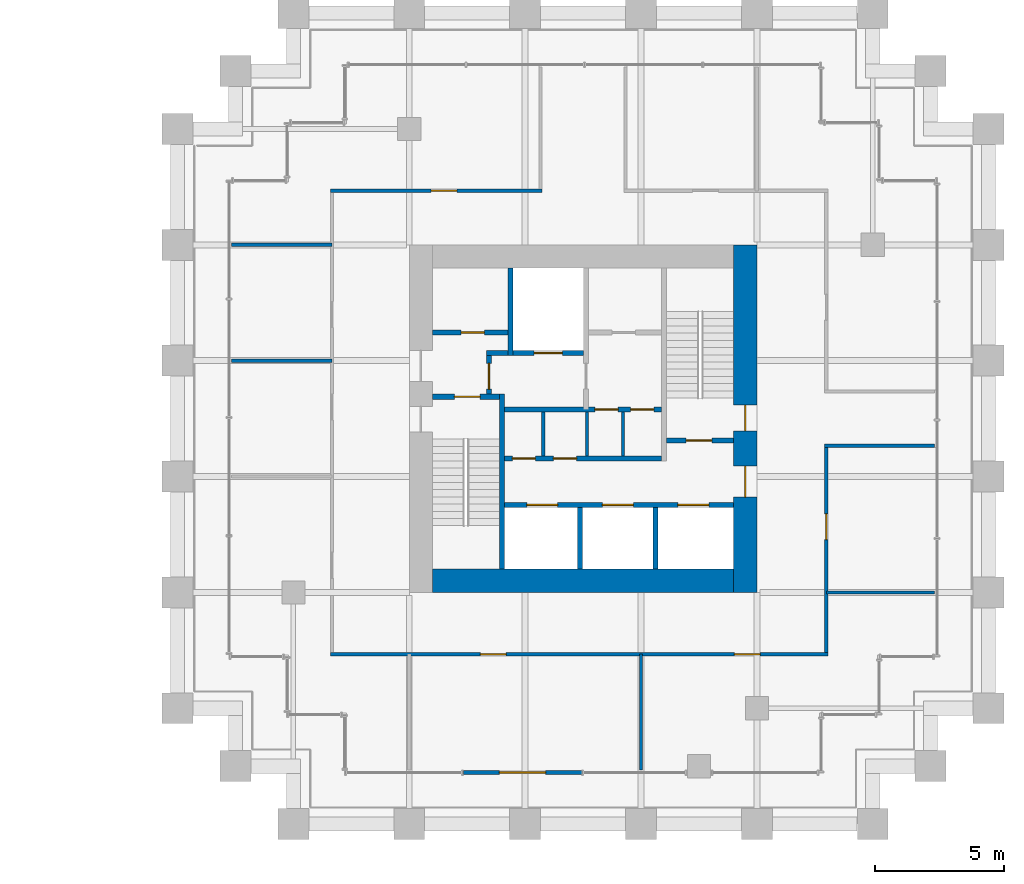
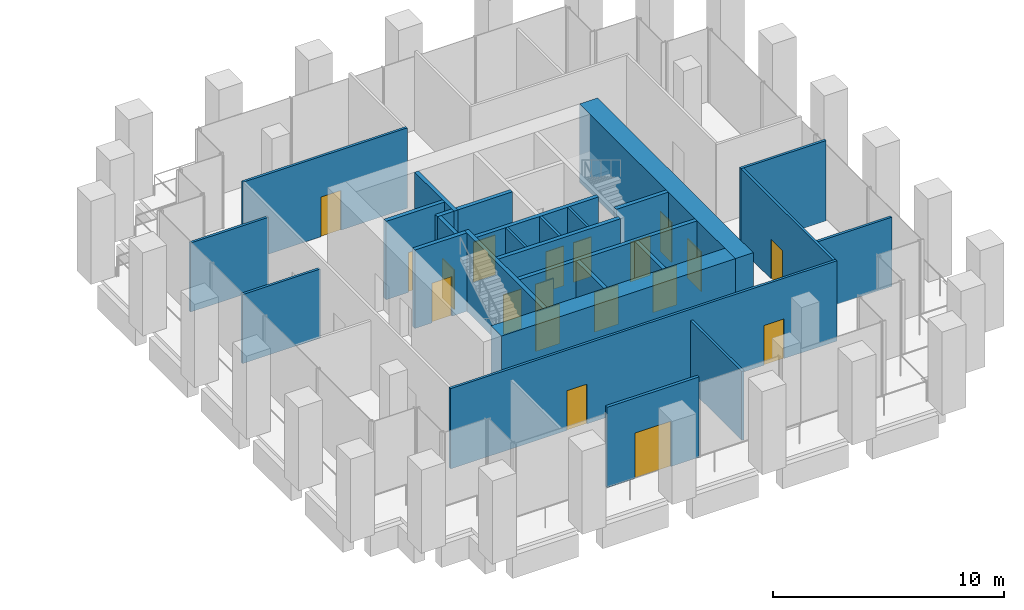
# One storey, part 32 of 36: 27 walls, 19 doors, 19 openings.
"""IFC4 building model written with IfcOpenShell, lengths in metres."""

import ifcopenshell
import ifcopenshell.guid

model = None  # the IFC model being written
_history = None  # IfcOwnerHistory: only IFC2X3 demands one
_inside = {}  # id of a spatial element -> (the spatial element, [elements in it])
_under = {}  # id of a project, library or spatial element -> (it, [spatial elements below it])
_declared = {}  # id of a project -> (the project, [libraries it declares])
_typed = {}  # id of a type object -> (the type object, [elements of that type])
_made_of = {}  # id of a material, layer set ... -> (it, [elements and type objects made of it])


def new_model(schema):
    """Start an empty IFC model of exactly this schema.

    Asked for "IFC4X3", IfcOpenShell would pick the latest addendum, in which some entities
    have other attributes; the version numbers below select the first issue.
    IFC2X3 requires an IfcOwnerHistory on every rooted entity: one is made here for all.
    """
    global model, _history
    if schema == "IFC4X3":
        model = ifcopenshell.file(schema_version=(4, 3, 0, 0))
    else:
        model = ifcopenshell.file(schema=schema)
    _inside.clear()
    _under.clear()
    _declared.clear()
    _typed.clear()
    _made_of.clear()
    _history = None
    if model.schema == "IFC2X3":
        org = make("IfcOrganization", Name="unknown")
        user = make(
            "IfcPersonAndOrganization",
            ThePerson=make("IfcPerson", FamilyName="unknown"),
            TheOrganization=org,
        )
        app = make(
            "IfcApplication",
            ApplicationDeveloper=org,
            Version="unknown",
            ApplicationFullName="unknown",
            ApplicationIdentifier="unknown",
        )
        _history = make(
            "IfcOwnerHistory",
            OwningUser=user,
            OwningApplication=app,
            ChangeAction="ADDED",
            CreationDate=0,
        )
    return model


def make(cls, **values):
    """One entity of the class cls with the attributes given. An attribute that is None is left unset."""
    return model.create_entity(
        cls, **{name: value for name, value in values.items() if value is not None}
    )


def rooted(cls, **values):
    """An entity with a GlobalId (a new one), such as an element, a storey or a relation."""
    return make(cls, GlobalId=ifcopenshell.guid.new(), OwnerHistory=_history, **values)


def si_unit(unit_type, name, prefix=None):
    """IfcSIUnit, for example si_unit("LENGTHUNIT", "METRE", prefix="MILLI")."""
    return make("IfcSIUnit", UnitType=unit_type, Prefix=prefix, Name=name)


def assignment(units):
    """IfcUnitAssignment: the units of a project."""
    return None if units is None else make("IfcUnitAssignment", Units=units)


def point(xyz):
    """IfcCartesianPoint."""
    return None if xyz is None else make("IfcCartesianPoint", Coordinates=xyz)


def direction(xyz):
    """IfcDirection."""
    return None if xyz is None else make("IfcDirection", DirectionRatios=xyz)


def frame(location, z_axis=None, x_axis=None):
    """IfcAxis2Placement3D, a coordinate frame: its origin and axes. An axis left out is left unset."""
    return make(
        "IfcAxis2Placement3D",
        Location=point(location),
        Axis=direction(z_axis),
        RefDirection=direction(x_axis),
    )


def frame_2d(location, x_axis=None):
    """IfcAxis2Placement2D, a coordinate frame in the plane: its origin and x axis."""
    return make(
        "IfcAxis2Placement2D", Location=point(location), RefDirection=direction(x_axis)
    )


def origin():
    """The frame at (0, 0, 0) with its axes left unset."""
    return frame((0.0, 0.0, 0.0))


def place(relative_to, where):
    """IfcLocalPlacement: puts the frame where relative to a parent placement (None: the world)."""
    return make(
        "IfcLocalPlacement", PlacementRelTo=relative_to, RelativePlacement=where
    )


def context(
    kind, dimensions, precision=None, world=None, true_north=None, identifier=None
):
    """IfcGeometricRepresentationContext, for example the 3D "Model" context."""
    return make(
        "IfcGeometricRepresentationContext",
        ContextIdentifier=identifier,
        ContextType=kind,
        CoordinateSpaceDimension=dimensions,
        Precision=precision,
        WorldCoordinateSystem=world,
        TrueNorth=true_north,
    )


def subcontext(parent, identifier, kind, view, scale=None):
    """IfcGeometricRepresentationSubContext, for example "Body" below "Model"."""
    return make(
        "IfcGeometricRepresentationSubContext",
        ContextIdentifier=identifier,
        ContextType=kind,
        ParentContext=parent,
        TargetScale=scale,
        TargetView=view,
    )


def project(units=None, contexts=None):
    """IfcProject with its units and contexts."""
    return rooted(
        "IfcProject",
        Name="project",
        RepresentationContexts=contexts,
        UnitsInContext=assignment(units),
    )


def spatial(cls, under=None, at=None, **own):
    """A site, building, storey or space (cls), placed at a placement, below another one or the project."""
    s = rooted(cls, ObjectPlacement=at, **own)
    if under is not None:
        _under.setdefault(under.id(), (under, []))[1].append(s)
    return s


def profile(cls, at=None, kind="AREA", **sizes):
    """A parametric profile (cls). Its sizes go by their IFC names, for example OverallWidth=200.0."""
    return make(cls, ProfileType=kind, Position=at, **sizes)


def rectangle(**sizes):
    """IfcRectangleProfileDef."""
    return profile("IfcRectangleProfileDef", **sizes)


def extrude(swept, where, along, depth):
    """IfcExtrudedAreaSolid: the profile swept, set in the frame where, extruded along a direction by depth."""
    return make(
        "IfcExtrudedAreaSolid",
        SweptArea=swept,
        Position=where,
        ExtrudedDirection=direction(along),
        Depth=depth,
    )


def shape(context_of_items, identifier, shape_type, items):
    """IfcShapeRepresentation: the items that make up one representation, for example the "Body"."""
    return make(
        "IfcShapeRepresentation",
        ContextOfItems=context_of_items,
        RepresentationIdentifier=identifier,
        RepresentationType=shape_type,
        Items=items,
    )


def material(Name=None, Category=None):
    """IfcMaterial."""
    return make("IfcMaterial", Name=Name, Category=Category)


def layer(
    of_material, thickness, ventilated=None, Name=None, Category=None, Priority=None
):
    """IfcMaterialLayer: one layer of a wall or slab, of a material (None: an air gap)."""
    return make(
        "IfcMaterialLayer",
        Material=of_material,
        LayerThickness=thickness,
        IsVentilated=ventilated,
        Name=Name,
        Category=Category,
        Priority=Priority,
    )


def layer_set(layers, Name=None):
    """IfcMaterialLayerSet."""
    return make("IfcMaterialLayerSet", MaterialLayers=layers, LayerSetName=Name)


def made_of(thing, what):
    """Note that an element or type object is made of a material, layer set ...; save() writes the relation."""
    if what is not None:
        _made_of.setdefault(what.id(), (what, []))[1].append(thing)
    return thing


def type_object(cls, material=None, **own):
    """A type object (cls), such as IfcWallType, which elements share."""
    return made_of(rooted(cls, **own), material)


def element(
    cls,
    number,
    at=None,
    inside=None,
    cuts=None,
    type_object=None,
    material=None,
    context=None,
    identifier="Body",
    shape_type=None,
    held_by="IfcProductDefinitionShape",
    body=None,
    shapes=None,
    **own,
):
    """One element of the class cls, such as IfcWall. Its Tag is "e" and its number.

    at: its placement. inside: the storey or other place that contains it. cuts: it is an
    opening in that element (IfcRelVoidsElement). A single representation is given by context,
    identifier, shape_type and body (its items); several are given by shapes. held_by: the class
    of the entity that holds the representations. save() writes the other relations.
    """
    e = rooted(cls, Tag="e%d" % number, ObjectPlacement=at, **own)
    if body is not None:
        shapes = [shape(context, identifier, shape_type, body)]
    if shapes is not None:
        e.Representation = make(held_by, Representations=shapes)
    if inside is not None:
        _inside.setdefault(inside.id(), (inside, []))[1].append(e)
    if cuts is not None:
        rooted(
            "IfcRelVoidsElement", RelatingBuildingElement=cuts, RelatedOpeningElement=e
        )
    if type_object is not None:
        _typed.setdefault(type_object.id(), (type_object, []))[1].append(e)
    return made_of(e, material)


def fill(opening, filler):
    """IfcRelFillsElement: the door or window that sits in an opening."""
    return rooted(
        "IfcRelFillsElement",
        RelatingOpeningElement=opening,
        RelatedBuildingElement=filler,
    )


def aggregate(whole, parts):
    """IfcRelAggregates: a whole, such as a stair, and the parts it consists of."""
    return rooted("IfcRelAggregates", RelatingObject=whole, RelatedObjects=parts)


def save(model, path):
    """Write the relations noted so far, then the file.

    IfcRelAggregates (storeys below a building ...), IfcRelContainedInSpatialStructure (elements
    in a storey), IfcRelDefinesByType, IfcRelAssociatesMaterial and IfcRelDeclares: one each for
    every whole, place, type object, material and project.
    """
    for whole, parts in _under.values():
        aggregate(whole, parts)
    for where, things in _inside.values():
        rooted(
            "IfcRelContainedInSpatialStructure",
            RelatedElements=things,
            RelatingStructure=where,
        )
    for kind, things in _typed.values():
        rooted("IfcRelDefinesByType", RelatedObjects=things, RelatingType=kind)
    for what, things in _made_of.values():
        rooted("IfcRelAssociatesMaterial", RelatedObjects=things, RelatingMaterial=what)
    for by, libraries in _declared.values():
        rooted("IfcRelDeclares", RelatingContext=by, RelatedDefinitions=libraries)
    model.write(path)


model = new_model("IFC4")

# Units and contexts
model_context = context("Model", 3, precision=1e-05, world=origin(), true_north=direction((0.0, 1.0)))
body_context = subcontext(model_context, "Body", "Model", "MODEL_VIEW")
ifc_project = project(units=[si_unit("LENGTHUNIT", "METRE"), si_unit("AREAUNIT", "SQUARE_METRE"), si_unit("VOLUMEUNIT", "CUBIC_METRE"), si_unit("PLANEANGLEUNIT", "RADIAN"), si_unit("MASSUNIT", "GRAM", prefix="KILO")], contexts=[model_context])

# Site, building, storey
site_placement = place(None, origin())
site = spatial("IfcSite", under=ifc_project, at=site_placement, CompositionType="ELEMENT")
building_placement = place(site_placement, origin())
building = spatial("IfcBuilding", under=site, at=building_placement, Name="Altepetl Exchange Towers", CompositionType="ELEMENT")
storey_placement = place(building_placement, frame((0.0, 0.0, 43.0)))
storey = spatial("IfcBuildingStorey", under=building, at=storey_placement, Name="L09", CompositionType="ELEMENT", Elevation=43.0)

# Wall, openings, doors
ifc_material_1 = material(Name="Concrete C70/85", Category="concrete")
ifc_layer_1 = layer(ifc_material_1, 0.89990234375)
ifc_layer_set_1 = layer_set([ifc_layer_1], Name="Concrete C70/85")
wall_type_1 = type_object("IfcWallType", Name="Core wall 900 reinforced concrete", PredefinedType="SHEAR", material=ifc_layer_set_1)
wall_1_placement = place(storey_placement, frame((116.550048828125, 36.0, 0.0), z_axis=(0.0, 0.0, 1.0), x_axis=(0.0, 1.0, 0.0)))
wall_1 = element("IfcWall", 1, at=wall_1_placement, inside=storey, type_object=wall_type_1, Name="wall:B:L09:K-coreE", PredefinedType="SHEAR", context=body_context, shape_type="SweptSolid", body=[
    extrude(rectangle(XDim=13.5, YDim=0.89990234375, at=frame_2d((6.75, 0.0))), origin(), (0.0, 0.0, 1.0), 4.14990234375),
])
opening_1_placement = place(wall_1_placement, frame((3.699951171875, 0.0, 0.0)))
opening_1 = element("IfcOpeningElement", 2, at=opening_1_placement, cuts=wall_1, Name="Opening L09.B61", PredefinedType="OPENING", context=body_context, shape_type="SweptSolid", body=[
    extrude(rectangle(XDim=1.199951171875, YDim=2.10009765625, at=frame_2d((0.60009765625, 1.050048828125))), frame((0.0, 0.4599609375, 0.0), z_axis=(0.0, -1.0, 0.0), x_axis=(1.0, 0.0, 0.0)), (0.0, 0.0, 1.0), 0.919921875),
])
opening_2_placement = place(wall_1_placement, frame((6.27490234375, 0.0, 0.0)))
opening_2 = element("IfcOpeningElement", 3, at=opening_2_placement, cuts=wall_1, Name="Opening L09.B65", PredefinedType="OPENING", context=body_context, shape_type="SweptSolid", body=[
    extrude(rectangle(XDim=1.0, YDim=2.10009765625, at=frame_2d((0.5, 1.050048828125))), frame((0.0, 0.4599609375, 0.0), z_axis=(0.0, -1.0, 0.0), x_axis=(1.0, 0.0, 0.0)), (0.0, 0.0, 1.0), 0.919921875),
])
ifc_material_2 = material(Name="Steel and timber fire door", Category="steel")
door_type_1 = type_object("IfcDoorType", Name="Fire door 1000 x 2100 stair and lobby", OperationType="SINGLE_SWING_LEFT", PredefinedType="DOOR", material=ifc_material_2)
door_1_placement = place(opening_2_placement, origin())
door_1 = element("IfcDoor", 4, at=door_1_placement, inside=storey, type_object=door_type_1, Name="door:B:L09:K-dS2x", OperationType="SINGLE_SWING_LEFT", OverallHeight=2.10009765625, OverallWidth=1.0, PredefinedType="DOOR", context=body_context, shape_type="SweptSolid", body=[
    extrude(rectangle(XDim=1.0, YDim=2.10009765625, at=frame_2d((0.5, 1.050048828125))), frame((0.0, 0.02490234375, 0.0), z_axis=(0.0, -1.0, 0.0), x_axis=(1.0, 0.0, 0.0)), (0.0, 0.0, 1.0), 0.050048828125),
])
fill(opening_2, door_1)
door_type_2 = type_object("IfcDoorType", Name="Fire door 1200 x 2100 lobby entry", OperationType="SINGLE_SWING_LEFT", PredefinedType="DOOR", material=ifc_material_2)
door_2_placement = place(opening_1_placement, origin())
door_2 = element("IfcDoor", 5, at=door_2_placement, inside=storey, type_object=door_type_2, Name="door:B:L09:K-dLSE", OperationType="SINGLE_SWING_RIGHT", OverallHeight=2.10009765625, OverallWidth=1.199951171875, PredefinedType="DOOR", context=body_context, shape_type="SweptSolid", body=[
    extrude(rectangle(XDim=1.199951171875, YDim=2.10009765625, at=frame_2d((0.60009765625, 1.050048828125))), frame((0.0, 0.02490234375, 0.0), z_axis=(0.0, -1.0, 0.0), x_axis=(1.0, 0.0, 0.0)), (0.0, 0.0, 1.0), 0.050048828125),
])
fill(opening_1, door_2)

# Wall
wall_2_placement = place(storey_placement, frame((104.39990234375, 36.449951171875, 0.0)))
element("IfcWall", 6, at=wall_2_placement, inside=storey, type_object=wall_type_1, Name="wall:B:L09:K-coreS", PredefinedType="SHEAR", context=body_context, shape_type="SweptSolid", body=[
    extrude(rectangle(XDim=11.7001953125, YDim=0.89990234375, at=frame_2d((5.85009765625, 0.0))), origin(), (0.0, 0.0, 1.0), 4.14990234375),
])

# Wall, opening, door
ifc_material_3 = material(Name="Aluminium composite cladding", Category="aluminium")
ifc_layer_2 = layer(ifc_material_3, 0.14990234375)
ifc_layer_set_2 = layer_set([ifc_layer_2], Name="Aluminium composite cladding")
wall_type_2 = type_object("IfcWallType", Name="Infill wall 150 aluminium panel", PredefinedType="SOLIDWALL", material=ifc_layer_set_2)
wall_3_placement = place(storey_placement, frame((105.60009765625, 29.0, 0.0)))
wall_3 = element("IfcWall", 7, at=wall_3_placement, inside=storey, type_object=wall_type_2, Name="Loggia door bay wall", PredefinedType="SOLIDWALL", context=body_context, shape_type="SweptSolid", body=[
    extrude(rectangle(XDim=4.599853515625, YDim=0.14990234375, at=frame_2d((2.2998046875, 0.0))), origin(), (0.0, 0.0, 1.0), 4.25),
])
opening_3_placement = place(wall_3_placement, frame((1.39990234375, 0.0, 0.0)))
opening_3 = element("IfcOpeningElement", 8, at=opening_3_placement, cuts=wall_3, Name="Opening L09.B90", PredefinedType="OPENING", context=body_context, shape_type="SweptSolid", body=[
    extrude(rectangle(XDim=1.800048828125, YDim=2.39990234375, at=frame_2d((0.89990234375, 1.199951171875))), frame((0.0, 0.0849609375, 0.0), z_axis=(0.0, -1.0, 0.0), x_axis=(1.0, 0.0, 0.0)), (0.0, 0.0, 1.0), 0.169921875),
])
ifc_material_4 = material(Name="Aluminium 6063-T6 and glass", Category="aluminium")
door_type_3 = type_object("IfcDoorType", Name="Glazed door pair 1800x2400", OperationType="DOUBLE_DOOR_DOUBLE_SWING", PredefinedType="NOTDEFINED", material=ifc_material_4)
door_3_placement = place(opening_3_placement, frame((1.800048828125, 0.0, 0.0), x_axis=(-1.0, 0.0, 0.0)))
door_3 = element("IfcDoor", 9, at=door_3_placement, inside=storey, type_object=door_type_3, Name="Loggia door", OperationType="DOUBLE_DOOR_DOUBLE_SWING", OverallHeight=2.39990234375, OverallWidth=1.800048828125, PredefinedType="NOTDEFINED", context=body_context, shape_type="SweptSolid", body=[
    extrude(rectangle(XDim=1.800048828125, YDim=2.39990234375, at=frame_2d((0.89990234375, 1.199951171875))), frame((0.0, 0.02490234375, 0.0), z_axis=(0.0, -1.0, 0.0), x_axis=(1.0, 0.0, 0.0)), (0.0, 0.0, 1.0), 0.050048828125),
])
fill(opening_3, door_3)

# Wall
ifc_material_5 = material(Name="Concrete blockwork", Category="masonry")
ifc_layer_3 = layer(ifc_material_5, 0.199951171875)
ifc_layer_set_3 = layer_set([ifc_layer_3], Name="Concrete blockwork")
wall_type_3 = type_object("IfcWallType", Name="Lobby wall 200 blockwork", PredefinedType="PARTITIONING", material=ifc_layer_set_3)
wall_4_placement = place(storey_placement, frame((106.5, 45.300048828125, 0.0)))
element("IfcWall", 10, at=wall_4_placement, inside=storey, type_object=wall_type_3, Name="wall:B:L09:K-ffNw", PredefinedType="PARTITIONING", context=body_context, shape_type="SweptSolid", body=[
    extrude(rectangle(XDim=0.833251953125, YDim=0.199951171875, at=frame_2d((0.41650390625, 0.0))), origin(), (0.0, 0.0, 1.0), 4.14990234375),
])

# Wall, opening, door
wall_5_placement = place(storey_placement, frame((106.60009765625, 43.699951171875, 0.0), z_axis=(0.0, 0.0, 1.0), x_axis=(0.0, 1.0, 0.0)))
wall_5 = element("IfcWall", 11, at=wall_5_placement, inside=storey, type_object=wall_type_3, Name="wall:B:L09:K-ffW", PredefinedType="PARTITIONING", context=body_context, shape_type="SweptSolid", body=[
    extrude(rectangle(XDim=1.5, YDim=0.199951171875, at=frame_2d((0.75, 0.0))), origin(), (0.0, 0.0, 1.0), 4.14990234375),
])
opening_4_placement = place(wall_5_placement, frame((0.199951171875, 0.0, 0.0)))
opening_4 = element("IfcOpeningElement", 12, at=opening_4_placement, cuts=wall_5, Name="Opening L09.B67", PredefinedType="OPENING", context=body_context, shape_type="SweptSolid", body=[
    extrude(rectangle(XDim=1.0, YDim=2.10009765625, at=frame_2d((0.5, 1.050048828125))), frame((0.0, 0.10986328125, 0.0), z_axis=(0.0, -1.0, 0.0), x_axis=(1.0, 0.0, 0.0)), (0.0, 0.0, 1.0), 0.219970703125),
])
door_4_placement = place(opening_4_placement, frame((1.0, 0.0, 0.0), x_axis=(-1.0, 0.0, 0.0)))
door_4 = element("IfcDoor", 13, at=door_4_placement, inside=storey, type_object=door_type_1, Name="door:B:L09:K-dffW", OperationType="SINGLE_SWING_LEFT", OverallHeight=2.10009765625, OverallWidth=1.0, PredefinedType="DOOR", context=body_context, shape_type="SweptSolid", body=[
    extrude(rectangle(XDim=1.0, YDim=2.10009765625, at=frame_2d((0.5, 1.050048828125))), frame((0.0, 0.02490234375, 0.0), z_axis=(0.0, -1.0, 0.0), x_axis=(1.0, 0.0, 0.0)), (0.0, 0.0, 1.0), 0.050048828125),
])
fill(opening_4, door_4)

# Wall, openings, doors
wall_6_placement = place(storey_placement, frame((107.199951171875, 43.10009765625, 0.0)))
wall_6 = element("IfcWall", 14, at=wall_6_placement, inside=storey, type_object=wall_type_3, Name="wall:B:L09:K-zoneN", PredefinedType="PARTITIONING", context=body_context, shape_type="SweptSolid", body=[
    extrude(rectangle(XDim=6.10009765625, YDim=0.199951171875, at=frame_2d((3.050048828125, 0.0))), origin(), (0.0, 0.0, 1.0), 4.14990234375),
])
opening_5_placement = place(wall_6_placement, frame((3.508544921875, 0.0, 0.0)))
opening_5 = element("IfcOpeningElement", 15, at=opening_5_placement, cuts=wall_6, Name="Opening L09.B72", PredefinedType="OPENING", context=body_context, shape_type="SweptSolid", body=[
    extrude(rectangle(XDim=0.89990234375, YDim=2.10009765625, at=frame_2d((0.449951171875, 1.050048828125))), frame((0.0, 0.10986328125, 0.0), z_axis=(0.0, -1.0, 0.0), x_axis=(1.0, 0.0, 0.0)), (0.0, 0.0, 1.0), 0.219970703125),
])
opening_6_placement = place(wall_6_placement, frame((4.89990234375, 0.0, 0.0)))
opening_6 = element("IfcOpeningElement", 16, at=opening_6_placement, cuts=wall_6, Name="Opening L09.B73", PredefinedType="OPENING", context=body_context, shape_type="SweptSolid", body=[
    extrude(rectangle(XDim=0.89990234375, YDim=2.10009765625, at=frame_2d((0.449951171875, 1.050048828125))), frame((0.0, 0.10986328125, 0.0), z_axis=(0.0, -1.0, 0.0), x_axis=(1.0, 0.0, 0.0)), (0.0, 0.0, 1.0), 0.219970703125),
])
door_type_4 = type_object("IfcDoorType", Name="Fire door 900 x 2100 service room", OperationType="SINGLE_SWING_LEFT", PredefinedType="DOOR", material=ifc_material_2)
door_5_placement = place(opening_5_placement, frame((0.89990234375, 0.0, 0.0), x_axis=(-1.0, 0.0, 0.0)))
door_5 = element("IfcDoor", 17, at=door_5_placement, inside=storey, type_object=door_type_4, Name="door:B:L09:K-dz3", OperationType="SINGLE_SWING_RIGHT", OverallHeight=2.10009765625, OverallWidth=0.89990234375, PredefinedType="DOOR", context=body_context, shape_type="SweptSolid", body=[
    extrude(rectangle(XDim=0.89990234375, YDim=2.10009765625, at=frame_2d((0.449951171875, 1.050048828125))), frame((0.0, 0.02490234375, 0.0), z_axis=(0.0, -1.0, 0.0), x_axis=(1.0, 0.0, 0.0)), (0.0, 0.0, 1.0), 0.050048828125),
])
fill(opening_5, door_5)
door_6_placement = place(opening_6_placement, frame((0.89990234375, 0.0, 0.0), x_axis=(-1.0, 0.0, 0.0)))
door_6 = element("IfcDoor", 18, at=door_6_placement, inside=storey, type_object=door_type_4, Name="door:B:L09:K-dz4", OperationType="SINGLE_SWING_RIGHT", OverallHeight=2.10009765625, OverallWidth=0.89990234375, PredefinedType="DOOR", context=body_context, shape_type="SweptSolid", body=[
    extrude(rectangle(XDim=0.89990234375, YDim=2.10009765625, at=frame_2d((0.449951171875, 1.050048828125))), frame((0.0, 0.02490234375, 0.0), z_axis=(0.0, -1.0, 0.0), x_axis=(1.0, 0.0, 0.0)), (0.0, 0.0, 1.0), 0.050048828125),
])
fill(opening_6, door_6)

wall_7_placement = place(storey_placement, frame((107.199951171875, 41.199951171875, 0.0)))
wall_7 = element("IfcWall", 19, at=wall_7_placement, inside=storey, type_object=wall_type_3, Name="wall:B:L09:K-zoneS", PredefinedType="PARTITIONING", context=body_context, shape_type="SweptSolid", body=[
    extrude(rectangle(XDim=6.10009765625, YDim=0.199951171875, at=frame_2d((3.050048828125, 0.0))), origin(), (0.0, 0.0, 1.0), 4.14990234375),
])
opening_7_placement = place(wall_7_placement, frame((0.300048828125, 0.0, 0.0)))
opening_7 = element("IfcOpeningElement", 20, at=opening_7_placement, cuts=wall_7, Name="Opening L09.B70", PredefinedType="OPENING", context=body_context, shape_type="SweptSolid", body=[
    extrude(rectangle(XDim=0.89990234375, YDim=2.10009765625, at=frame_2d((0.449951171875, 1.050048828125))), frame((0.0, 0.10986328125, 0.0), z_axis=(0.0, -1.0, 0.0), x_axis=(1.0, 0.0, 0.0)), (0.0, 0.0, 1.0), 0.219970703125),
])
opening_8_placement = place(wall_7_placement, frame((1.89990234375, 0.0, 0.0)))
opening_8 = element("IfcOpeningElement", 21, at=opening_8_placement, cuts=wall_7, Name="Opening L09.B71", PredefinedType="OPENING", context=body_context, shape_type="SweptSolid", body=[
    extrude(rectangle(XDim=0.89990234375, YDim=2.10009765625, at=frame_2d((0.449951171875, 1.050048828125))), frame((0.0, 0.10986328125, 0.0), z_axis=(0.0, -1.0, 0.0), x_axis=(1.0, 0.0, 0.0)), (0.0, 0.0, 1.0), 0.219970703125),
])
door_7_placement = place(opening_7_placement, origin())
door_7 = element("IfcDoor", 22, at=door_7_placement, inside=storey, type_object=door_type_4, Name="door:B:L09:K-dz1", OperationType="SINGLE_SWING_RIGHT", OverallHeight=2.10009765625, OverallWidth=0.89990234375, PredefinedType="DOOR", context=body_context, shape_type="SweptSolid", body=[
    extrude(rectangle(XDim=0.89990234375, YDim=2.10009765625, at=frame_2d((0.449951171875, 1.050048828125))), frame((0.0, 0.02490234375, 0.0), z_axis=(0.0, -1.0, 0.0), x_axis=(1.0, 0.0, 0.0)), (0.0, 0.0, 1.0), 0.050048828125),
])
fill(opening_7, door_7)
door_8_placement = place(opening_8_placement, origin())
door_8 = element("IfcDoor", 23, at=door_8_placement, inside=storey, type_object=door_type_4, Name="door:B:L09:K-dz2", OperationType="SINGLE_SWING_RIGHT", OverallHeight=2.10009765625, OverallWidth=0.89990234375, PredefinedType="DOOR", context=body_context, shape_type="SweptSolid", body=[
    extrude(rectangle(XDim=0.89990234375, YDim=2.10009765625, at=frame_2d((0.449951171875, 1.050048828125))), frame((0.0, 0.02490234375, 0.0), z_axis=(0.0, -1.0, 0.0), x_axis=(1.0, 0.0, 0.0)), (0.0, 0.0, 1.0), 0.050048828125),
])
fill(opening_8, door_8)

# Walls
ifc_material_6 = material(Name="Gypsum board on steel studs", Category="steel")
ifc_layer_4 = layer(ifc_material_6, 0.125)
ifc_layer_set_4 = layer_set([ifc_layer_4], Name="Gypsum board on steel studs")
wall_type_4 = type_object("IfcWallType", Name="Partition 125 gypsum board on steel studs", PredefinedType="PARTITIONING", material=ifc_layer_set_4)
for number, where, z_axis, x_axis, name in (
    (24, (108.699951171875, 41.300048828125, 0.0), (0.0, 0.0, 1.0), (0.0, 1.0, 0.0), "wall:B:L09:K-zp1"),
    (25, (110.39990234375, 41.300048828125, 0.0), (0.0, 0.0, 1.0), (0.0, 1.0, 0.0), "wall:B:L09:K-zp2"),
    (26, (111.800048828125, 41.300048828125, 0.0), (0.0, 0.0, 1.0), (0.0, 1.0, 0.0), "wall:B:L09:K-zp3"),
):
    element("IfcWall", number, at=place(storey_placement, frame(where, z_axis=z_axis, x_axis=x_axis)), inside=storey, type_object=wall_type_4, Name=name, PredefinedType="PARTITIONING", context=body_context, shape_type="SweptSolid", body=[
        extrude(rectangle(XDim=1.699951171875, YDim=0.125, at=frame_2d((0.85009765625, 0.0))), origin(), (0.0, 0.0, 1.0), 4.14990234375),
    ])

# Wall, openings, doors
wall_8_placement = place(storey_placement, frame((100.4375, 33.60009765625, 0.0)))
wall_8 = element("IfcWall", 27, at=wall_8_placement, inside=storey, type_object=wall_type_4, Name="wall:B:L09:P01", PredefinedType="PARTITIONING", context=body_context, shape_type="SweptSolid", body=[
    extrude(rectangle(XDim=19.324951171875, YDim=0.125, at=frame_2d((9.66259765625, 0.0))), origin(), (0.0, 0.0, 1.0), 4.25),
])
opening_9_placement = place(wall_8_placement, frame((5.819580078125, 0.0, 0.0)))
opening_9 = element("IfcOpeningElement", 28, at=opening_9_placement, cuts=wall_8, Name="Opening L09.B02", PredefinedType="OPENING", context=body_context, shape_type="SweptSolid", body=[
    extrude(rectangle(XDim=1.0, YDim=2.10009765625, at=frame_2d((0.5, 1.050048828125))), frame((0.0, 0.072509765625, 0.0), z_axis=(0.0, -1.0, 0.0), x_axis=(1.0, 0.0, 0.0)), (0.0, 0.0, 1.0), 0.14501953125),
])
opening_10_placement = place(wall_8_placement, frame((15.685546875, 0.0, 0.0)))
opening_10 = element("IfcOpeningElement", 29, at=opening_10_placement, cuts=wall_8, Name="Opening L09.B03", PredefinedType="OPENING", context=body_context, shape_type="SweptSolid", body=[
    extrude(rectangle(XDim=1.0, YDim=2.10009765625, at=frame_2d((0.5, 1.050048828125))), frame((0.0, 0.072509765625, 0.0), z_axis=(0.0, -1.0, 0.0), x_axis=(1.0, 0.0, 0.0)), (0.0, 0.0, 1.0), 0.14501953125),
])
door_type_5 = type_object("IfcDoorType", Name="Fire door 1000 x 2100 single leaf", OperationType="SINGLE_SWING_LEFT", PredefinedType="DOOR", material=ifc_material_2)
door_9_placement = place(opening_9_placement, frame((1.0, 0.0, 0.0), x_axis=(-1.0, 0.0, 0.0)))
door_9 = element("IfcDoor", 30, at=door_9_placement, inside=storey, type_object=door_type_5, Name="door:B:L09:02", OperationType="SINGLE_SWING_RIGHT", OverallHeight=2.10009765625, OverallWidth=1.0, PredefinedType="DOOR", context=body_context, shape_type="SweptSolid", body=[
    extrude(rectangle(XDim=1.0, YDim=2.10009765625, at=frame_2d((0.5, 1.050048828125))), frame((0.0, 0.02490234375, 0.0), z_axis=(0.0, -1.0, 0.0), x_axis=(1.0, 0.0, 0.0)), (0.0, 0.0, 1.0), 0.050048828125),
])
fill(opening_9, door_9)
door_10_placement = place(opening_10_placement, frame((1.0, 0.0, 0.0), x_axis=(-1.0, 0.0, 0.0)))
door_10 = element("IfcDoor", 31, at=door_10_placement, inside=storey, type_object=door_type_5, Name="door:B:L09:03", OperationType="SINGLE_SWING_RIGHT", OverallHeight=2.10009765625, OverallWidth=1.0, PredefinedType="DOOR", context=body_context, shape_type="SweptSolid", body=[
    extrude(rectangle(XDim=1.0, YDim=2.10009765625, at=frame_2d((0.5, 1.050048828125))), frame((0.0, 0.02490234375, 0.0), z_axis=(0.0, -1.0, 0.0), x_axis=(1.0, 0.0, 0.0)), (0.0, 0.0, 1.0), 0.050048828125),
])
fill(opening_10, door_10)

# Walls
wall_9_placement = place(storey_placement, frame((119.699951171875, 36.0, 0.0)))
element("IfcWall", 32, at=wall_9_placement, inside=storey, type_object=wall_type_4, Name="wall:B:L09:P02", PredefinedType="PARTITIONING", context=body_context, shape_type="SweptSolid", body=[
    extrude(rectangle(XDim=4.199951171875, YDim=0.125, at=frame_2d((2.10009765625, 0.0))), origin(), (0.0, 0.0, 1.0), 3.65087890625),
])
wall_10_placement = place(storey_placement, frame((119.637451171875, 41.699951171875, 0.0)))
element("IfcWall", 33, at=wall_10_placement, inside=storey, type_object=wall_type_4, Name="wall:B:L09:P04", PredefinedType="PARTITIONING", context=body_context, shape_type="SweptSolid", body=[
    extrude(rectangle(XDim=4.262451171875, YDim=0.125, at=frame_2d((2.13134765625, 0.0))), origin(), (0.0, 0.0, 1.0), 4.25),
])
for number, where, name in (
    (34, (96.60009765625, 45.0, 0.0), "wall:B:L09:P06"),
    (35, (96.60009765625, 49.5, 0.0), "wall:B:L09:P07"),
):
    element("IfcWall", number, at=place(storey_placement, frame(where)), inside=storey, type_object=wall_type_4, Name=name, PredefinedType="PARTITIONING", context=body_context, shape_type="SweptSolid", body=[
        extrude(rectangle(XDim=3.89990234375, YDim=0.125, at=frame_2d((1.949951171875, 0.0))), origin(), (0.0, 0.0, 1.0), 3.65087890625),
    ])

# Wall, opening, door
wall_11_placement = place(storey_placement, frame((100.4375, 51.60009765625, 0.0)))
wall_11 = element("IfcWall", 36, at=wall_11_placement, inside=storey, type_object=wall_type_4, Name="wall:B:L09:P08", PredefinedType="PARTITIONING", context=body_context, shape_type="SweptSolid", body=[
    extrude(rectangle(XDim=8.22509765625, YDim=0.125, at=frame_2d((4.112548828125, 0.0))), origin(), (0.0, 0.0, 1.0), 4.25),
])
opening_11_placement = place(wall_11_placement, frame((3.91259765625, 0.0, 0.0)))
opening_11 = element("IfcOpeningElement", 37, at=opening_11_placement, cuts=wall_11, Name="Opening L09.B07", PredefinedType="OPENING", context=body_context, shape_type="SweptSolid", body=[
    extrude(rectangle(XDim=1.0, YDim=2.10009765625, at=frame_2d((0.5, 1.050048828125))), frame((0.0, 0.072509765625, 0.0), z_axis=(0.0, -1.0, 0.0), x_axis=(1.0, 0.0, 0.0)), (0.0, 0.0, 1.0), 0.14501953125),
])
door_11_placement = place(opening_11_placement, origin())
door_11 = element("IfcDoor", 38, at=door_11_placement, inside=storey, type_object=door_type_5, Name="door:B:L09:07", OperationType="SINGLE_SWING_RIGHT", OverallHeight=2.10009765625, OverallWidth=1.0, PredefinedType="DOOR", context=body_context, shape_type="SweptSolid", body=[
    extrude(rectangle(XDim=1.0, YDim=2.10009765625, at=frame_2d((0.5, 1.050048828125))), frame((0.0, 0.02490234375, 0.0), z_axis=(0.0, -1.0, 0.0), x_axis=(1.0, 0.0, 0.0)), (0.0, 0.0, 1.0), 0.050048828125),
])
fill(opening_11, door_11)

# Wall
wall_12_placement = place(storey_placement, frame((112.5, 29.10009765625, 0.0), z_axis=(0.0, 0.0, 1.0), x_axis=(0.0, 1.0, 0.0)))
element("IfcWall", 39, at=wall_12_placement, inside=storey, type_object=wall_type_4, Name="wall:B:L09:P14", PredefinedType="PARTITIONING", context=body_context, shape_type="SweptSolid", body=[
    extrude(rectangle(XDim=4.5, YDim=0.125, at=frame_2d((2.25, 0.0))), origin(), (0.0, 0.0, 1.0), 3.65087890625),
])

# Wall, opening, door
wall_13_placement = place(storey_placement, frame((119.699951171875, 33.66259765625, 0.0), z_axis=(0.0, 0.0, 1.0), x_axis=(0.0, 1.0, 0.0)))
wall_13 = element("IfcWall", 40, at=wall_13_placement, inside=storey, type_object=wall_type_4, Name="wall:B:L09:P16", PredefinedType="PARTITIONING", context=body_context, shape_type="SweptSolid", body=[
    extrude(rectangle(XDim=7.974853515625, YDim=0.125, at=frame_2d((3.9873046875, 0.0))), origin(), (0.0, 0.0, 1.0), 4.25),
])
opening_12_placement = place(wall_13_placement, frame((4.387451171875, 0.0, 0.0)))
opening_12 = element("IfcOpeningElement", 41, at=opening_12_placement, cuts=wall_13, Name="Opening L09.B04", PredefinedType="OPENING", context=body_context, shape_type="SweptSolid", body=[
    extrude(rectangle(XDim=1.0, YDim=2.10009765625, at=frame_2d((0.5, 1.050048828125))), frame((0.0, 0.072509765625, 0.0), z_axis=(0.0, -1.0, 0.0), x_axis=(1.0, 0.0, 0.0)), (0.0, 0.0, 1.0), 0.14501953125),
])
door_12_placement = place(opening_12_placement, frame((1.0, 0.0, 0.0), x_axis=(-1.0, 0.0, 0.0)))
door_12 = element("IfcDoor", 42, at=door_12_placement, inside=storey, type_object=door_type_5, Name="door:B:L09:04", OperationType="SINGLE_SWING_RIGHT", OverallHeight=2.10009765625, OverallWidth=1.0, PredefinedType="DOOR", context=body_context, shape_type="SweptSolid", body=[
    extrude(rectangle(XDim=1.0, YDim=2.10009765625, at=frame_2d((0.5, 1.050048828125))), frame((0.0, 0.02490234375, 0.0), z_axis=(0.0, -1.0, 0.0), x_axis=(1.0, 0.0, 0.0)), (0.0, 0.0, 1.0), 0.050048828125),
])
fill(opening_12, door_12)

# Walls
ifc_material_7 = material(Name="Concrete C40/50", Category="concrete")
ifc_layer_5 = layer(ifc_material_7, 0.199951171875)
ifc_layer_set_5 = layer_set([ifc_layer_5], Name="Concrete C40/50")
wall_type_5 = type_object("IfcWallType", Name="Shaft wall 200 reinforced concrete", PredefinedType="SHEAR", material=ifc_layer_set_5)
wall_14_placement = place(storey_placement, frame((107.433349609375, 48.60009765625, 0.0), z_axis=(0.0, 0.0, 1.0), x_axis=(0.0, -1.0, 0.0)))
element("IfcWall", 43, at=wall_14_placement, inside=storey, type_object=wall_type_5, Name="wall:B:L09:K-divN1", PredefinedType="SHEAR", context=body_context, shape_type="SweptSolid", body=[
    extrude(rectangle(XDim=3.400146484375, YDim=0.199951171875, at=frame_2d((1.7001953125, 0.0))), origin(), (0.0, 0.0, 1.0), 4.14990234375),
])
for number, where, z_axis, x_axis, name in (
    (44, (110.13330078125, 36.89990234375, 0.0), (0.0, 0.0, 1.0), (0.0, 1.0, 0.0), "wall:B:L09:K-divS1"),
    (45, (113.066650390625, 36.89990234375, 0.0), (0.0, 0.0, 1.0), (0.0, 1.0, 0.0), "wall:B:L09:K-divS2"),
):
    element("IfcWall", number, at=place(storey_placement, frame(where, z_axis=z_axis, x_axis=x_axis)), inside=storey, type_object=wall_type_5, Name=name, PredefinedType="SHEAR", context=body_context, shape_type="SweptSolid", body=[
        extrude(rectangle(XDim=2.400146484375, YDim=0.199951171875, at=frame_2d((1.2001953125, 0.0))), origin(), (0.0, 0.0, 1.0), 4.14990234375),
    ])

# Wall, opening, door
wall_15_placement = place(storey_placement, frame((104.39990234375, 46.10009765625, 0.0)))
wall_15 = element("IfcWall", 46, at=wall_15_placement, inside=storey, type_object=wall_type_5, Name="wall:B:L09:K-frontNa", PredefinedType="SHEAR", context=body_context, shape_type="SweptSolid", body=[
    extrude(rectangle(XDim=2.933349609375, YDim=0.199951171875, at=frame_2d((1.466796875, 0.0))), origin(), (0.0, 0.0, 1.0), 4.14990234375),
])
opening_13_placement = place(wall_15_placement, frame((1.11669921875, 0.0, 0.0)))
opening_13 = element("IfcOpeningElement", 47, at=opening_13_placement, cuts=wall_15, Name="Opening L09.B68", PredefinedType="OPENING", context=body_context, shape_type="SweptSolid", body=[
    extrude(rectangle(XDim=0.89990234375, YDim=2.10009765625, at=frame_2d((0.449951171875, 1.050048828125))), frame((0.0, 0.10986328125, 0.0), z_axis=(0.0, -1.0, 0.0), x_axis=(1.0, 0.0, 0.0)), (0.0, 0.0, 1.0), 0.219970703125),
])
door_13_placement = place(opening_13_placement, origin())
door_13 = element("IfcDoor", 48, at=door_13_placement, inside=storey, type_object=door_type_4, Name="door:B:L09:K-dslotN0", OperationType="SINGLE_SWING_RIGHT", OverallHeight=2.10009765625, OverallWidth=0.89990234375, PredefinedType="DOOR", context=body_context, shape_type="SweptSolid", body=[
    extrude(rectangle(XDim=0.89990234375, YDim=2.10009765625, at=frame_2d((0.449951171875, 1.050048828125))), frame((0.0, 0.02490234375, 0.0), z_axis=(0.0, -1.0, 0.0), x_axis=(1.0, 0.0, 0.0)), (0.0, 0.0, 1.0), 0.050048828125),
])
fill(opening_13, door_13)

wall_16_placement = place(storey_placement, frame((107.533203125, 45.300048828125, 0.0)))
wall_16 = element("IfcWall", 49, at=wall_16_placement, inside=storey, type_object=wall_type_5, Name="wall:B:L09:K-frontNd", PredefinedType="SHEAR", context=body_context, shape_type="SweptSolid", body=[
    extrude(rectangle(XDim=2.7333984375, YDim=0.199951171875, at=frame_2d((1.36669921875, 0.0))), origin(), (0.0, 0.0, 1.0), 4.14990234375),
])
opening_14_placement = place(wall_16_placement, frame((0.816650390625, 0.0, 0.0)))
opening_14 = element("IfcOpeningElement", 50, at=opening_14_placement, cuts=wall_16, Name="Opening L09.B74", PredefinedType="OPENING", context=body_context, shape_type="SweptSolid", body=[
    extrude(rectangle(XDim=1.10009765625, YDim=2.10009765625, at=frame_2d((0.550048828125, 1.050048828125))), frame((0.0, 0.10986328125, 0.0), z_axis=(0.0, -1.0, 0.0), x_axis=(1.0, 0.0, 0.0)), (0.0, 0.0, 1.0), 0.219970703125),
])
ifc_material_8 = material(Name="Stainless steel", Category="steel")
door_type_6 = type_object("IfcDoorType", Name="Lift landing door 1100 x 2100", OperationType="SLIDING_TO_LEFT", PredefinedType="DOOR", material=ifc_material_8)
door_14_placement = place(opening_14_placement, origin())
door_14 = element("IfcDoor", 51, at=door_14_placement, inside=storey, type_object=door_type_6, Name="Landing door FFL1", OperationType="SLIDING_TO_LEFT", OverallHeight=2.10009765625, OverallWidth=1.10009765625, PredefinedType="DOOR", context=body_context, shape_type="SweptSolid", body=[
    extrude(rectangle(XDim=1.10009765625, YDim=2.10009765625, at=frame_2d((0.550048828125, 1.050048828125))), frame((0.0, 0.02490234375, 0.0), z_axis=(0.0, -1.0, 0.0), x_axis=(1.0, 0.0, 0.0)), (0.0, 0.0, 1.0), 0.050048828125),
])
fill(opening_14, door_14)

# Wall, openings, doors
wall_17_placement = place(storey_placement, frame((107.199951171875, 39.39990234375, 0.0)))
wall_17 = element("IfcWall", 52, at=wall_17_placement, inside=storey, type_object=wall_type_5, Name="wall:B:L09:K-frontS", PredefinedType="SHEAR", context=body_context, shape_type="SweptSolid", body=[
    extrude(rectangle(XDim=8.900146484375, YDim=0.199951171875, at=frame_2d((4.4501953125, 0.0))), origin(), (0.0, 0.0, 1.0), 4.14990234375),
])
opening_15_placement = place(wall_17_placement, frame((0.86669921875, 0.0, 0.0)))
opening_15 = element("IfcOpeningElement", 53, at=opening_15_placement, cuts=wall_17, Name="Opening L09.B75", PredefinedType="OPENING", context=body_context, shape_type="SweptSolid", body=[
    extrude(rectangle(XDim=1.199951171875, YDim=2.10009765625, at=frame_2d((0.60009765625, 1.050048828125))), frame((0.0, 0.10986328125, 0.0), z_axis=(0.0, -1.0, 0.0), x_axis=(1.0, 0.0, 0.0)), (0.0, 0.0, 1.0), 0.219970703125),
])
opening_16_placement = place(wall_17_placement, frame((3.800048828125, 0.0, 0.0)))
opening_16 = element("IfcOpeningElement", 54, at=opening_16_placement, cuts=wall_17, Name="Opening L09.B76", PredefinedType="OPENING", context=body_context, shape_type="SweptSolid", body=[
    extrude(rectangle(XDim=1.199951171875, YDim=2.10009765625, at=frame_2d((0.60009765625, 1.050048828125))), frame((0.0, 0.10986328125, 0.0), z_axis=(0.0, -1.0, 0.0), x_axis=(1.0, 0.0, 0.0)), (0.0, 0.0, 1.0), 0.219970703125),
])
opening_17_placement = place(wall_17_placement, frame((6.7333984375, 0.0, 0.0)))
opening_17 = element("IfcOpeningElement", 55, at=opening_17_placement, cuts=wall_17, Name="Opening L09.B77", PredefinedType="OPENING", context=body_context, shape_type="SweptSolid", body=[
    extrude(rectangle(XDim=1.199951171875, YDim=2.10009765625, at=frame_2d((0.60009765625, 1.050048828125))), frame((0.0, 0.10986328125, 0.0), z_axis=(0.0, -1.0, 0.0), x_axis=(1.0, 0.0, 0.0)), (0.0, 0.0, 1.0), 0.219970703125),
])
door_type_7 = type_object("IfcDoorType", Name="Lift landing door 1200 x 2100", OperationType="SLIDING_TO_LEFT", PredefinedType="DOOR", material=ifc_material_8)
door_15_placement = place(opening_15_placement, origin())
door_15 = element("IfcDoor", 56, at=door_15_placement, inside=storey, type_object=door_type_7, Name="Landing door P1", OperationType="SLIDING_TO_LEFT", OverallHeight=2.10009765625, OverallWidth=1.199951171875, PredefinedType="DOOR", context=body_context, shape_type="SweptSolid", body=[
    extrude(rectangle(XDim=1.199951171875, YDim=2.10009765625, at=frame_2d((0.60009765625, 1.050048828125))), frame((0.0, 0.02490234375, 0.0), z_axis=(0.0, -1.0, 0.0), x_axis=(1.0, 0.0, 0.0)), (0.0, 0.0, 1.0), 0.050048828125),
])
fill(opening_15, door_15)
door_16_placement = place(opening_16_placement, origin())
door_16 = element("IfcDoor", 57, at=door_16_placement, inside=storey, type_object=door_type_7, Name="Landing door P2", OperationType="SLIDING_TO_LEFT", OverallHeight=2.10009765625, OverallWidth=1.199951171875, PredefinedType="DOOR", context=body_context, shape_type="SweptSolid", body=[
    extrude(rectangle(XDim=1.199951171875, YDim=2.10009765625, at=frame_2d((0.60009765625, 1.050048828125))), frame((0.0, 0.02490234375, 0.0), z_axis=(0.0, -1.0, 0.0), x_axis=(1.0, 0.0, 0.0)), (0.0, 0.0, 1.0), 0.050048828125),
])
fill(opening_16, door_16)
door_17_placement = place(opening_17_placement, origin())
door_17 = element("IfcDoor", 58, at=door_17_placement, inside=storey, type_object=door_type_7, Name="Landing door P3", OperationType="SLIDING_TO_LEFT", OverallHeight=2.10009765625, OverallWidth=1.199951171875, PredefinedType="DOOR", context=body_context, shape_type="SweptSolid", body=[
    extrude(rectangle(XDim=1.199951171875, YDim=2.10009765625, at=frame_2d((0.60009765625, 1.050048828125))), frame((0.0, 0.02490234375, 0.0), z_axis=(0.0, -1.0, 0.0), x_axis=(1.0, 0.0, 0.0)), (0.0, 0.0, 1.0), 0.050048828125),
])
fill(opening_17, door_17)

# Wall
ifc_layer_6 = layer(ifc_material_7, 0.199951171875)
ifc_layer_set_6 = layer_set([ifc_layer_6], Name="Concrete C40/50")
wall_type_6 = type_object("IfcWallType", Name="Stair wall 200 reinforced concrete", PredefinedType="SHEAR", material=ifc_layer_set_6)
wall_18_placement = place(storey_placement, frame((107.10009765625, 36.89990234375, 0.0), z_axis=(0.0, 0.0, 1.0), x_axis=(0.0, 1.0, 0.0)))
element("IfcWall", 59, at=wall_18_placement, inside=storey, type_object=wall_type_6, Name="wall:B:L09:K-stS1E", PredefinedType="SHEAR", context=body_context, shape_type="SweptSolid", body=[
    extrude(rectangle(XDim=6.800048828125, YDim=0.199951171875, at=frame_2d((3.39990234375, 0.0))), origin(), (0.0, 0.0, 1.0), 4.14990234375),
])

# Wall, opening, door
wall_19_placement = place(storey_placement, frame((104.39990234375, 43.60009765625, 0.0)))
wall_19 = element("IfcWall", 60, at=wall_19_placement, inside=storey, type_object=wall_type_6, Name="wall:B:L09:K-stS1N", PredefinedType="SHEAR", context=body_context, shape_type="SweptSolid", body=[
    extrude(rectangle(XDim=2.60009765625, YDim=0.199951171875, at=frame_2d((1.300048828125, 0.0))), origin(), (0.0, 0.0, 1.0), 4.14990234375),
])
opening_18_placement = place(wall_19_placement, frame((0.85009765625, 0.0, 0.0)))
opening_18 = element("IfcOpeningElement", 61, at=opening_18_placement, cuts=wall_19, Name="Opening L09.B62", PredefinedType="OPENING", context=body_context, shape_type="SweptSolid", body=[
    extrude(rectangle(XDim=1.0, YDim=2.10009765625, at=frame_2d((0.5, 1.050048828125))), frame((0.0, 0.10986328125, 0.0), z_axis=(0.0, -1.0, 0.0), x_axis=(1.0, 0.0, 0.0)), (0.0, 0.0, 1.0), 0.219970703125),
])
door_18_placement = place(opening_18_placement, frame((1.0, 0.0, 0.0), x_axis=(-1.0, 0.0, 0.0)))
door_18 = element("IfcDoor", 62, at=door_18_placement, inside=storey, type_object=door_type_1, Name="door:B:L09:K-dS1in", OperationType="SINGLE_SWING_LEFT", OverallHeight=2.10009765625, OverallWidth=1.0, PredefinedType="DOOR", context=body_context, shape_type="SweptSolid", body=[
    extrude(rectangle(XDim=1.0, YDim=2.10009765625, at=frame_2d((0.5, 1.050048828125))), frame((0.0, 0.02490234375, 0.0), z_axis=(0.0, -1.0, 0.0), x_axis=(1.0, 0.0, 0.0)), (0.0, 0.0, 1.0), 0.050048828125),
])
fill(opening_18, door_18)

wall_20_placement = place(storey_placement, frame((113.5, 41.89990234375, 0.0)))
wall_20 = element("IfcWall", 63, at=wall_20_placement, inside=storey, type_object=wall_type_6, Name="wall:B:L09:K-stS2S", PredefinedType="SHEAR", context=body_context, shape_type="SweptSolid", body=[
    extrude(rectangle(XDim=2.60009765625, YDim=0.199951171875, at=frame_2d((1.300048828125, 0.0))), origin(), (0.0, 0.0, 1.0), 4.14990234375),
])
opening_19_placement = place(wall_20_placement, frame((0.75, 0.0, 0.0)))
opening_19 = element("IfcOpeningElement", 64, at=opening_19_placement, cuts=wall_20, Name="Opening L09.B64", PredefinedType="OPENING", context=body_context, shape_type="SweptSolid", body=[
    extrude(rectangle(XDim=1.0, YDim=2.10009765625, at=frame_2d((0.5, 1.050048828125))), frame((0.0, 0.10986328125, 0.0), z_axis=(0.0, -1.0, 0.0), x_axis=(1.0, 0.0, 0.0)), (0.0, 0.0, 1.0), 0.219970703125),
])
door_19_placement = place(opening_19_placement, origin())
door_19 = element("IfcDoor", 65, at=door_19_placement, inside=storey, type_object=door_type_1, Name="door:B:L09:K-dS2in", OperationType="SINGLE_SWING_RIGHT", OverallHeight=2.10009765625, OverallWidth=1.0, PredefinedType="DOOR", context=body_context, shape_type="SweptSolid", body=[
    extrude(rectangle(XDim=1.0, YDim=2.10009765625, at=frame_2d((0.5, 1.050048828125))), frame((0.0, 0.02490234375, 0.0), z_axis=(0.0, -1.0, 0.0), x_axis=(1.0, 0.0, 0.0)), (0.0, 0.0, 1.0), 0.050048828125),
])
fill(opening_19, door_19)

save(model, "model.ifc")
